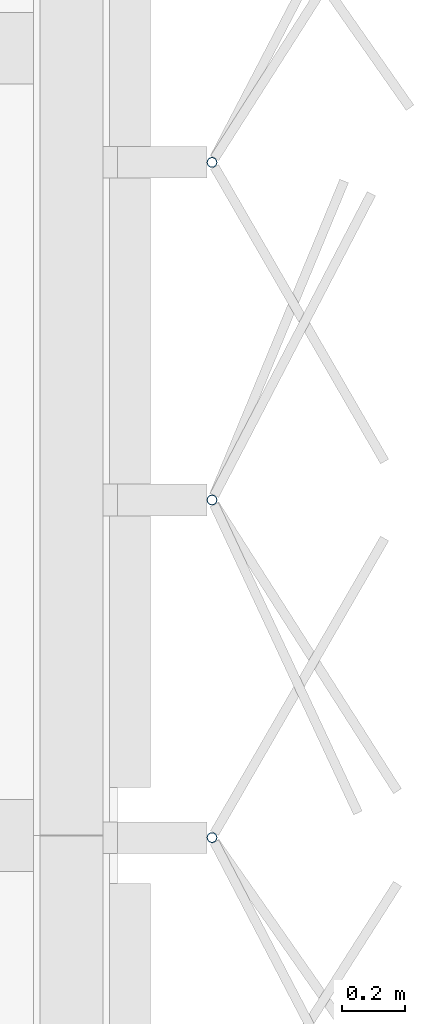
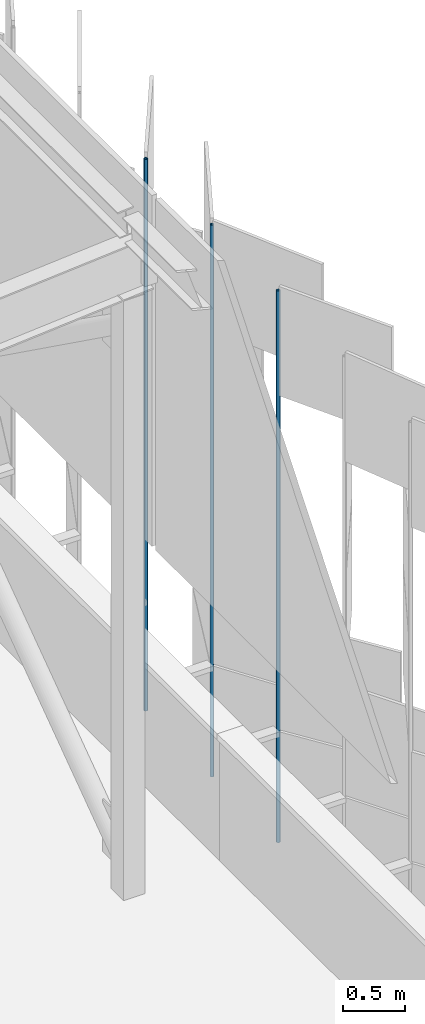
# One storey, part 184 of 483: 3 discrete accessories.
"""IFC4 building model written with IfcOpenShell, lengths in metres."""

from ifc_helpers import new_model, si_unit, direction, frame, origin, origin_2d, place, context, subcontext, project, spatial, hollow_circle, extrude, material, material_profile, profile_set, type_object, element, save


model = new_model("IFC4")

# Units and contexts
model_context = context("Model", 3, precision=1e-05, world=origin(), true_north=direction((0.0, 1.0)))
body_context = subcontext(model_context, "Body", "Model", "MODEL_VIEW")
ifc_project = project(units=[si_unit("LENGTHUNIT", "METRE"), si_unit("AREAUNIT", "SQUARE_METRE"), si_unit("VOLUMEUNIT", "CUBIC_METRE"), si_unit("PLANEANGLEUNIT", "RADIAN"), si_unit("MASSUNIT", "GRAM", prefix="KILO")], contexts=[model_context])

# Site, building, storey
site_placement = place(None, origin())
site = spatial("IfcSite", under=ifc_project, at=site_placement, CompositionType="ELEMENT")
building_placement = place(site_placement, origin())
building = spatial("IfcBuilding", under=site, at=building_placement, Name="Parallax Yard Mobility Hub", CompositionType="ELEMENT")
storey_placement = place(building_placement, frame((0.0, 0.0, 13.199951171875)))
storey = spatial("IfcBuildingStorey", under=building, at=storey_placement, Name="L04", CompositionType="ELEMENT", Elevation=13.199951171875)

# Discrete accessories
ifc_material = material(Name="Steel ASTM A500 Gr C, hot-dip galvanised", Category="steel")
ifc_material_profile = material_profile(ifc_material, hollow_circle(Radius=0.016845703125, WallThickness=0.003173828125, at=origin_2d()), Name="CHS 33.7x3.2")
ifc_profile_set = profile_set([ifc_material_profile], Name="Steel ASTM A500 Gr C, hot-dip galvanised")
discrete_accessory_type = type_object("IfcDiscreteAccessoryType", Name="Hinge post CHS 33.7x3.2", PredefinedType="BRACKET", material=ifc_profile_set)
for number, where, z_axis, x_axis, name in (
    (1, (225.300048828125, 59.993896484375, 0.0), (0.0, 0.0, 1.0), (1.0, 0.0, 0.0), "Hinge post bay 37.1 level L04"),
    (2, (225.300048828125, 61.065673828125, 0.0), (0.0, 0.0, 1.0), (1.0, 0.0, 0.0), "Hinge post bay 37.2 level L04"),
    (3, (225.300048828125, 62.137451171875, 0.0), (0.0, 0.0, 1.0), (1.0, 0.0, 0.0), "Hinge post bay 37.3 level L04"),
):
    element("IfcDiscreteAccessory", number, at=place(storey_placement, frame(where, z_axis=z_axis, x_axis=x_axis)), inside=storey, type_object=discrete_accessory_type, Name=name, PredefinedType="BRACKET", context=body_context, shape_type="SweptSolid", body=[
        extrude(hollow_circle(Radius=0.016845703125, WallThickness=0.003173828125, at=origin_2d()), origin(), (0.0, 0.0, 1.0), 5.449951171875),
    ])

save(model, "model.ifc")
